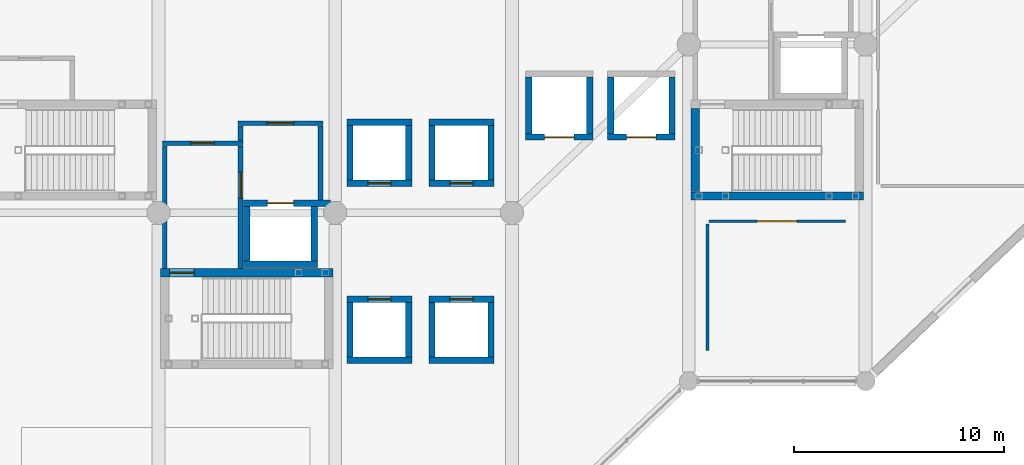
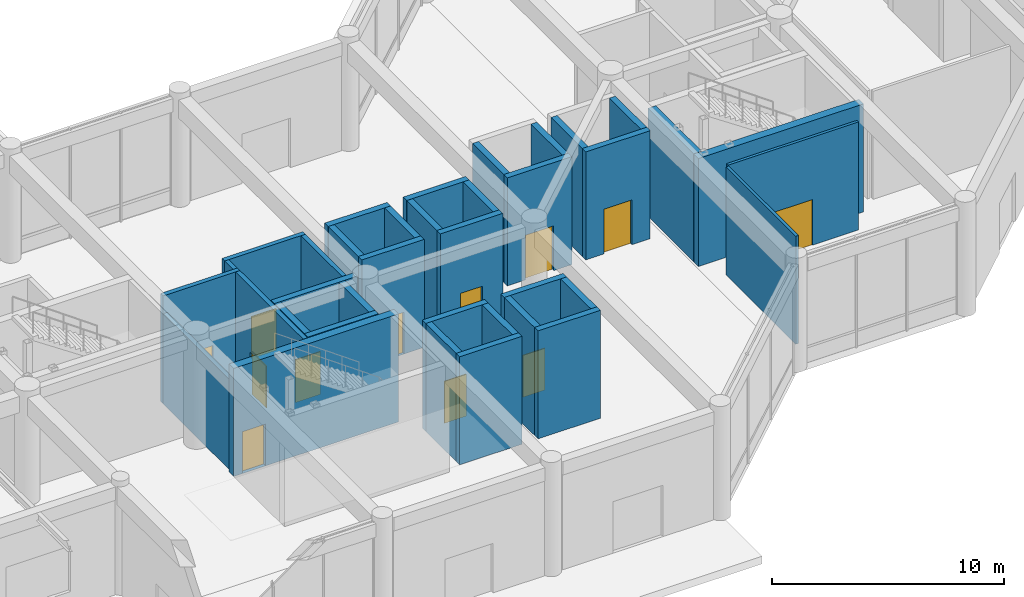
# One storey, part 58 of 76: 37 walls, 12 doors, 12 openings.
"""IFC4 building model written with IfcOpenShell, lengths in metres."""

from ifc_helpers import new_model, si_unit, direction, frame, frame_2d, origin, place, context, subcontext, project, spatial, rectangle, extrude, material, layer, layer_set, type_object, element, fill, save


model = new_model("IFC4")

# Units and contexts
model_context = context("Model", 3, precision=1e-05, world=origin(), true_north=direction((0.0, 1.0)))
body_context = subcontext(model_context, "Body", "Model", "MODEL_VIEW")
ifc_project = project(units=[si_unit("LENGTHUNIT", "METRE"), si_unit("AREAUNIT", "SQUARE_METRE"), si_unit("VOLUMEUNIT", "CUBIC_METRE"), si_unit("PLANEANGLEUNIT", "RADIAN"), si_unit("MASSUNIT", "GRAM", prefix="KILO")], contexts=[model_context])

# Site, building, storey
site_placement = place(None, origin())
site = spatial("IfcSite", under=ifc_project, at=site_placement, CompositionType="ELEMENT")
building_placement = place(site_placement, origin())
building = spatial("IfcBuilding", under=site, at=building_placement, Name="Naruveol Harbour Congress Hotel", CompositionType="ELEMENT")
storey_placement = place(building_placement, origin())
storey = spatial("IfcBuildingStorey", under=building, at=storey_placement, Name="L00", CompositionType="ELEMENT", Elevation=0.0)

# Wall, opening, door
ifc_material_1 = material(Name="Acoustic Double Stud Gypsum", Category="gypsum")
ifc_layer_1 = layer(ifc_material_1, 0.139892578125)
ifc_layer_set_1 = layer_set([ifc_layer_1], Name="Acoustic Double Stud Gypsum")
wall_type_1 = type_object("IfcWallType", Name="ACOUSTIC MEETING PARTITION WALL 140", PredefinedType="PARTITIONING", material=ifc_layer_set_1)
wall_1_placement = place(storey_placement, frame((152.159912109375, 15.60009765625, 0.0), z_axis=(0.0, 0.0, 1.0), x_axis=(1.0, 0.0, 0.0)))
wall_1 = element("IfcWall", 1, at=wall_1_placement, inside=storey, type_object=wall_type_1, Name="Waterfront Tea Salon north entry wall PW-140", PredefinedType="PARTITIONING", context=body_context, shape_type="SweptSolid", body=[
    extrude(rectangle(XDim=6.47998046875, YDim=0.139892578125, at=frame_2d((3.239990234375, 0.0))), origin(), (0.0, 0.0, 1.0), 5.675048828125),
])
opening_1_placement = place(wall_1_placement, frame((2.2900390625, 0.0, 0.0)))
opening_1 = element("IfcOpeningElement", 2, at=opening_1_placement, cuts=wall_1, Name="Opening ID-LG-31", PredefinedType="OPENING", context=body_context, shape_type="SweptSolid", body=[
    extrude(rectangle(XDim=1.89990234375, YDim=2.39990234375, at=frame_2d((0.949951171875, 1.199951171875))), frame((0.0, 0.079833984375, 0.0), z_axis=(0.0, -1.0, 0.0), x_axis=(1.0, 0.0, 0.0)), (0.0, 0.0, 1.0), 0.159912109375),
])
ifc_material_2 = material(Name="Timber & Steel Acoustic Leaf", Category="steel")
door_type_1 = type_object("IfcDoorType", Name="RESTAURANT AND LOUNGE GLAZED DOOR 1900X2400", OperationType="DOUBLE_DOOR_SINGLE_SWING", PredefinedType="DOOR", material=ifc_material_2)
door_1_placement = place(opening_1_placement, origin())
door_1 = element("IfcDoor", 3, at=door_1_placement, inside=storey, type_object=door_type_1, Name="Waterfront Tea Salon Entrance Door", OperationType="DOUBLE_DOOR_SINGLE_SWING", OverallHeight=2.39990234375, OverallWidth=1.89990234375, PredefinedType="DOOR", context=body_context, shape_type="SweptSolid", body=[
    extrude(rectangle(XDim=1.89990234375, YDim=2.39990234375, at=frame_2d((0.949951171875, 1.199951171875))), frame((0.0, 0.02490234375, 0.0), z_axis=(0.0, -1.0, 0.0), x_axis=(1.0, 0.0, 0.0)), (0.0, 0.0, 1.0), 0.050048828125),
])
fill(opening_1, door_1)

# Walls
wall_2_placement = place(storey_placement, frame((152.080078125, 9.449951171875, 0.0), z_axis=(0.0, 0.0, 1.0), x_axis=(0.0, 1.0, 0.0)))
element("IfcWall", 4, at=wall_2_placement, inside=storey, type_object=wall_type_1, Name="Waterfront Tea Salon west partition PW-140", PredefinedType="PARTITIONING", context=body_context, shape_type="SweptSolid", body=[
    extrude(rectangle(XDim=6.010009765625, YDim=0.139892578125, at=frame_2d((3.0048828125, 0.0))), origin(), (0.0, 0.0, 1.0), 5.675048828125),
])
ifc_material_3 = material(Name="Concrete C40/50", Category="concrete")
ifc_layer_2 = layer(ifc_material_3, 0.219970703125)
ifc_layer_set_2 = layer_set([ifc_layer_2], Name="Concrete C40/50")
wall_type_2 = type_object("IfcWallType", Name="FIRE COMPARTMENT AND LOBBY WALL 220 EI120", PredefinedType="PARTITIONING", material=ifc_layer_set_2)
wall_3_placement = place(storey_placement, frame((126.300048828125, 13.364990234375, 0.0), z_axis=(0.0, 0.0, 1.0), x_axis=(0.0, 1.0, 0.0)))
element("IfcWall", 5, at=wall_3_placement, inside=storey, type_object=wall_type_2, Name="Smoke vestibule ST1 west wall FW-220", PredefinedType="PARTITIONING", context=body_context, shape_type="SweptSolid", body=[
    extrude(rectangle(XDim=5.820068359375, YDim=0.219970703125, at=frame_2d((2.91015625, 0.0))), origin(), (0.0, 0.0, 1.0), 4.75),
])

# Wall, opening, door
wall_4_placement = place(storey_placement, frame((126.18994140625, 19.300048828125, 0.0), z_axis=(0.0, 0.0, 1.0), x_axis=(1.0, 0.0, 0.0)))
wall_4 = element("IfcWall", 6, at=wall_4_placement, inside=storey, type_object=wall_type_2, Name="Smoke vestibule ST1 north wall FW-220", PredefinedType="PARTITIONING", context=body_context, shape_type="SweptSolid", body=[
    extrude(rectangle(XDim=3.820068359375, YDim=0.219970703125, at=frame_2d((1.91015625, 0.0))), origin(), (0.0, 0.0, 1.0), 5.675048828125),
])
opening_2_placement = place(wall_4_placement, frame((1.35009765625, 0.0, 0.0)))
opening_2 = element("IfcOpeningElement", 7, at=opening_2_placement, cuts=wall_4, Name="Opening FD-ST1-V-L00", PredefinedType="OPENING", context=body_context, shape_type="SweptSolid", body=[
    extrude(rectangle(XDim=1.1201171875, YDim=2.199951171875, at=frame_2d((0.56005859375, 1.10009765625))), frame((0.0, 0.119873046875, 0.0), z_axis=(0.0, -1.0, 0.0), x_axis=(1.0, 0.0, 0.0)), (0.0, 0.0, 1.0), 0.239990234375),
])
ifc_material_4 = material(Name="Timber & Steel Acoustic Leaf", Category="steel")
door_type_2 = type_object("IfcDoorType", Name="VESTIBULE SMOKE CONTROL FIRE DOOR 1120X2200", OperationType="NOTDEFINED", PredefinedType="DOOR", material=ifc_material_4)
door_2_placement = place(opening_2_placement, origin())
door_2 = element("IfcDoor", 8, at=door_2_placement, inside=storey, type_object=door_type_2, Name="Smoke Vestibule Entry Door ST1 L00", OperationType="SINGLE_SWING_LEFT", OverallHeight=2.199951171875, OverallWidth=1.1201171875, PredefinedType="DOOR", context=body_context, shape_type="SweptSolid", body=[
    extrude(rectangle(XDim=1.1201171875, YDim=2.199951171875, at=frame_2d((0.56005859375, 1.10009765625))), frame((0.0, 0.02490234375, 0.0), z_axis=(0.0, -1.0, 0.0), x_axis=(1.0, 0.0, 0.0)), (0.0, 0.0, 1.0), 0.050048828125),
])
fill(opening_2, door_2)

wall_5_placement = place(storey_placement, frame((129.89990234375, 13.364990234375, 0.0), z_axis=(0.0, 0.0, 1.0), x_axis=(0.0, 1.0, 0.0)))
wall_5 = element("IfcWall", 9, at=wall_5_placement, inside=storey, type_object=wall_type_2, Name="Smoke vestibule ST1 east wall FW-220", PredefinedType="PARTITIONING", context=body_context, shape_type="SweptSolid", body=[
    extrude(rectangle(XDim=5.820068359375, YDim=0.219970703125, at=frame_2d((2.91015625, 0.0))), origin(), (0.0, 0.0, 1.0), 5.675048828125),
])
opening_3_placement = place(wall_5_placement, frame((3.3349609375, 0.0, 0.0)))
opening_3 = element("IfcOpeningElement", 10, at=opening_3_placement, cuts=wall_5, Name="Opening FD-FFL-ST1-L00", PredefinedType="OPENING", context=body_context, shape_type="SweptSolid", body=[
    extrude(rectangle(XDim=1.239990234375, YDim=2.199951171875, at=frame_2d((0.6201171875, 1.10009765625))), frame((0.0, 0.119873046875, 0.0), z_axis=(0.0, -1.0, 0.0), x_axis=(1.0, 0.0, 0.0)), (0.0, 0.0, 1.0), 0.239990234375),
])
ifc_material_5 = material(Name="Timber & Steel Acoustic Leaf", Category="steel")
door_type_3 = type_object("IfcDoorType", Name="FIREFIGHTING LOBBY FIRE DOOR 1240X2200", OperationType="NOTDEFINED", PredefinedType="DOOR", material=ifc_material_5)
door_3_placement = place(opening_3_placement, origin())
door_3 = element("IfcDoor", 11, at=door_3_placement, inside=storey, type_object=door_type_3, Name="Firefighting Lobby Vestibule Door ST1 L00", OperationType="SINGLE_SWING_RIGHT", OverallHeight=2.199951171875, OverallWidth=1.239990234375, PredefinedType="DOOR", context=body_context, shape_type="SweptSolid", body=[
    extrude(rectangle(XDim=1.239990234375, YDim=2.199951171875, at=frame_2d((0.6201171875, 1.10009765625))), frame((0.0, 0.02490234375, 0.0), z_axis=(0.0, -1.0, 0.0), x_axis=(1.0, 0.0, 0.0)), (0.0, 0.0, 1.0), 0.050048828125),
])
fill(opening_3, door_3)

# Walls
wall_6_placement = place(storey_placement, frame((129.89990234375, 19.4150390625, 0.0), z_axis=(0.0, 0.0, 1.0), x_axis=(0.0, 1.0, 0.0)))
element("IfcWall", 12, at=wall_6_placement, inside=storey, type_object=wall_type_2, Name="Firefighting lift lobby ST1 upper west wall FW-220", PredefinedType="PARTITIONING", context=body_context, shape_type="SweptSolid", body=[
    extrude(rectangle(XDim=0.719970703125, YDim=0.219970703125, at=frame_2d((0.35986328125, 0.0))), origin(), (0.0, 0.0, 1.0), 5.675048828125),
])
wall_7_placement = place(storey_placement, frame((133.699951171875, 16.60498046875, 0.0), z_axis=(0.0, 0.0, 1.0), x_axis=(0.0, 1.0, 0.0)))
element("IfcWall", 13, at=wall_7_placement, inside=storey, type_object=wall_type_2, Name="Firefighting lift lobby ST1 east wall FW-220", PredefinedType="PARTITIONING", context=body_context, shape_type="SweptSolid", body=[
    extrude(rectangle(XDim=3.530029296875, YDim=0.219970703125, at=frame_2d((1.76513671875, 0.0))), origin(), (0.0, 0.0, 1.0), 5.675048828125),
])

# Wall, opening, door
wall_8_placement = place(storey_placement, frame((129.7900390625, 20.25, 0.0), z_axis=(0.0, 0.0, 1.0), x_axis=(1.0, 0.0, 0.0)))
wall_8 = element("IfcWall", 14, at=wall_8_placement, inside=storey, type_object=wall_type_2, Name="Firefighting lift lobby ST1 north wall FW-220", PredefinedType="PARTITIONING", context=body_context, shape_type="SweptSolid", body=[
    extrude(rectangle(XDim=4.02001953125, YDim=0.219970703125, at=frame_2d((2.010009765625, 0.0))), origin(), (0.0, 0.0, 1.0), 5.675048828125),
])
opening_4_placement = place(wall_8_placement, frame((1.389892578125, 0.0, 0.0)))
opening_4 = element("IfcOpeningElement", 15, at=opening_4_placement, cuts=wall_8, Name="Opening FD-FFC-ST1-L00", PredefinedType="OPENING", context=body_context, shape_type="SweptSolid", body=[
    extrude(rectangle(XDim=1.239990234375, YDim=2.199951171875, at=frame_2d((0.6201171875, 1.10009765625))), frame((0.0, 0.119873046875, 0.0), z_axis=(0.0, -1.0, 0.0), x_axis=(1.0, 0.0, 0.0)), (0.0, 0.0, 1.0), 0.239990234375),
])
door_4_placement = place(opening_4_placement, origin())
door_4 = element("IfcDoor", 16, at=door_4_placement, inside=storey, type_object=door_type_3, Name="Firefighting Lobby Corridor Door ST1 L00", OperationType="SINGLE_SWING_LEFT", OverallHeight=2.199951171875, OverallWidth=1.239990234375, PredefinedType="DOOR", context=body_context, shape_type="SweptSolid", body=[
    extrude(rectangle(XDim=1.239990234375, YDim=2.199951171875, at=frame_2d((0.6201171875, 1.10009765625))), frame((0.0, 0.02490234375, 0.0), z_axis=(0.0, -1.0, 0.0), x_axis=(1.0, 0.0, 0.0)), (0.0, 0.0, 1.0), 0.050048828125),
])
fill(opening_4, door_4)

ifc_material_6 = material(Name="Concrete C50/60", Category="concrete")
ifc_layer_3 = layer(ifc_material_6, 0.39990234375)
ifc_layer_set_3 = layer_set([ifc_layer_3], Name="Concrete C50/60")
wall_type_3 = type_object("IfcWallType", Name="RC CORE SHEAR WALL 400 EI120", PredefinedType="SHEAR", material=ifc_layer_set_3)
wall_9_placement = place(storey_placement, frame((126.10009765625, 13.159912109375, 0.0), z_axis=(0.0, 0.0, 1.0), x_axis=(1.0, 0.0, 0.0)))
wall_9 = element("IfcWall", 17, at=wall_9_placement, inside=storey, type_object=wall_type_3, Name="Stair ST1 north core wall CW-400", PredefinedType="SHEAR", context=body_context, shape_type="SweptSolid", body=[
    extrude(rectangle(XDim=8.199951171875, YDim=0.39990234375, at=frame_2d((4.10009765625, 0.0))), origin(), (0.0, 0.0, 1.0), 5.675048828125),
])
opening_5_placement = place(wall_9_placement, frame((0.429931640625, 0.0, 0.0)))
opening_5 = element("IfcOpeningElement", 18, at=opening_5_placement, cuts=wall_9, Name="Opening FD-ST1-S-L00", PredefinedType="OPENING", context=body_context, shape_type="SweptSolid", body=[
    extrude(rectangle(XDim=1.159912109375, YDim=2.199951171875, at=frame_2d((0.580078125, 1.10009765625))), frame((0.0, 0.2099609375, 0.0), z_axis=(0.0, -1.0, 0.0), x_axis=(1.0, 0.0, 0.0)), (0.0, 0.0, 1.0), 0.419921875),
])
ifc_material_7 = material(Name="Timber & Steel Acoustic Leaf", Category="steel")
door_type_4 = type_object("IfcDoorType", Name="SPECIAL ESCAPE STAIR FIRE DOOR 1160X2200", OperationType="NOTDEFINED", PredefinedType="DOOR", material=ifc_material_7)
door_5_placement = place(opening_5_placement, origin())
door_5 = element("IfcDoor", 19, at=door_5_placement, inside=storey, type_object=door_type_4, Name="Special Escape Stair Door ST1 L00", OperationType="SINGLE_SWING_RIGHT", OverallHeight=2.199951171875, OverallWidth=1.159912109375, PredefinedType="DOOR", context=body_context, shape_type="SweptSolid", body=[
    extrude(rectangle(XDim=1.159912109375, YDim=2.199951171875, at=frame_2d((0.580078125, 1.10009765625))), frame((0.0, 0.02490234375, 0.0), z_axis=(0.0, -1.0, 0.0), x_axis=(1.0, 0.0, 0.0)), (0.0, 0.0, 1.0), 0.050048828125),
])
fill(opening_5, door_5)

# Walls
wall_10_placement = place(storey_placement, frame((151.300048828125, 16.800048828125, 0.0), z_axis=(0.0, 0.0, 1.0), x_axis=(1.0, 0.0, 0.0)))
element("IfcWall", 20, at=wall_10_placement, inside=storey, type_object=wall_type_3, Name="Stair ST2 south core wall CW-400", PredefinedType="SHEAR", context=body_context, shape_type="SweptSolid", body=[
    extrude(rectangle(XDim=8.199951171875, YDim=0.39990234375, at=frame_2d((4.10009765625, 0.0))), origin(), (0.0, 0.0, 1.0), 5.675048828125),
])
wall_11_placement = place(storey_placement, frame((151.5, 17.0048828125, 0.0), z_axis=(0.0, 0.0, 1.0), x_axis=(0.0, 1.0, 0.0)))
element("IfcWall", 21, at=wall_11_placement, inside=storey, type_object=wall_type_3, Name="Stair ST2 west core wall CW-400", PredefinedType="SHEAR", context=body_context, shape_type="SweptSolid", body=[
    extrude(rectangle(XDim=3.9501953125, YDim=0.39990234375, at=frame_2d((1.97509765625, 0.0))), origin(), (0.0, 0.0, 1.0), 5.675048828125),
])

# Wall, opening, door
ifc_material_8 = material(Name="Concrete C50/60", Category="concrete")
ifc_layer_4 = layer(ifc_material_8, 0.300048828125)
ifc_layer_set_4 = layer_set([ifc_layer_4], Name="Concrete C50/60")
wall_type_4 = type_object("IfcWallType", Name="RC STAIR AND HOISTWAY SHEAR WALL 300 EI120", PredefinedType="SHEAR", material=ifc_layer_set_4)
wall_12_placement = place(storey_placement, frame((134.949951171875, 17.39990234375, 0.0), z_axis=(0.0, 0.0, 1.0), x_axis=(1.0, 0.0, 0.0)))
wall_12 = element("IfcWall", 22, at=wall_12_placement, inside=storey, type_object=wall_type_4, Name="Hoistway south shear wall PL1 SW-300", PredefinedType="SHEAR", context=body_context, shape_type="SweptSolid", body=[
    extrude(rectangle(XDim=3.10009765625, YDim=0.300048828125, at=frame_2d((1.550048828125, 0.0))), origin(), (0.0, 0.0, 1.0), 5.675048828125),
])
opening_6_placement = place(wall_12_placement, frame((1.0, 0.0, 0.0)))
opening_6 = element("IfcOpeningElement", 23, at=opening_6_placement, cuts=wall_12, Name="Opening LD-PL1-L00", PredefinedType="OPENING", context=body_context, shape_type="SweptSolid", body=[
    extrude(rectangle(XDim=1.10009765625, YDim=2.199951171875, at=frame_2d((0.550048828125, 1.10009765625))), frame((0.0, 0.159912109375, 0.0), z_axis=(0.0, -1.0, 0.0), x_axis=(1.0, 0.0, 0.0)), (0.0, 0.0, 1.0), 0.320068359375),
])
ifc_material_9 = material(Name="Stainless Steel Lift Door", Category="steel")
door_type_5 = type_object("IfcDoorType", Name="PASSENGER LIFT LANDING DOOR 1100X2200", OperationType="DOUBLE_DOOR_SLIDING", PredefinedType="DOOR", material=ifc_material_9)
door_6_placement = place(opening_6_placement, origin())
door_6 = element("IfcDoor", 24, at=door_6_placement, inside=storey, type_object=door_type_5, Name="Elevator Landing Door PL1 L00", OperationType="DOUBLE_DOOR_SLIDING", OverallHeight=2.199951171875, OverallWidth=1.10009765625, PredefinedType="DOOR", context=body_context, shape_type="SweptSolid", body=[
    extrude(rectangle(XDim=1.10009765625, YDim=2.199951171875, at=frame_2d((0.550048828125, 1.10009765625))), frame((0.0, 0.02490234375, 0.0), z_axis=(0.0, -1.0, 0.0), x_axis=(1.0, 0.0, 0.0)), (0.0, 0.0, 1.0), 0.050048828125),
])
fill(opening_6, door_6)

# Walls
wall_13_placement = place(storey_placement, frame((137.89990234375, 17.554931640625, 0.0), z_axis=(0.0, 0.0, 1.0), x_axis=(0.0, 1.0, 0.0)))
element("IfcWall", 25, at=wall_13_placement, inside=storey, type_object=wall_type_4, Name="Hoistway east shear wall PL1 SW-300", PredefinedType="SHEAR", context=body_context, shape_type="SweptSolid", body=[
    extrude(rectangle(XDim=2.590087890625, YDim=0.300048828125, at=frame_2d((1.294921875, 0.0))), origin(), (0.0, 0.0, 1.0), 5.675048828125),
])
wall_14_placement = place(storey_placement, frame((138.050048828125, 20.300048828125, 0.0), z_axis=(0.0, 0.0, 1.0), x_axis=(-1.0, 0.0, 0.0)))
element("IfcWall", 26, at=wall_14_placement, inside=storey, type_object=wall_type_4, Name="Hoistway north shear wall PL1 SW-300", PredefinedType="SHEAR", context=body_context, shape_type="SweptSolid", body=[
    extrude(rectangle(XDim=3.10009765625, YDim=0.300048828125, at=frame_2d((1.550048828125, 0.0))), origin(), (0.0, 0.0, 1.0), 5.675048828125),
])
wall_15_placement = place(storey_placement, frame((135.10009765625, 20.14501953125, 0.0), z_axis=(0.0, 0.0, 1.0), x_axis=(0.0, -1.0, 0.0)))
element("IfcWall", 27, at=wall_15_placement, inside=storey, type_object=wall_type_4, Name="Hoistway west shear wall PL1 SW-300", PredefinedType="SHEAR", context=body_context, shape_type="SweptSolid", body=[
    extrude(rectangle(XDim=2.590087890625, YDim=0.300048828125, at=frame_2d((1.294921875, 0.0))), origin(), (0.0, 0.0, 1.0), 5.675048828125),
])

# Wall, opening, door
wall_16_placement = place(storey_placement, frame((138.85009765625, 17.39990234375, 0.0), z_axis=(0.0, 0.0, 1.0), x_axis=(1.0, 0.0, 0.0)))
wall_16 = element("IfcWall", 28, at=wall_16_placement, inside=storey, type_object=wall_type_4, Name="Hoistway south shear wall PL2 SW-300", PredefinedType="SHEAR", context=body_context, shape_type="SweptSolid", body=[
    extrude(rectangle(XDim=3.099853515625, YDim=0.300048828125, at=frame_2d((1.5498046875, 0.0))), origin(), (0.0, 0.0, 1.0), 5.675048828125),
])
opening_7_placement = place(wall_16_placement, frame((1.0, 0.0, 0.0)))
opening_7 = element("IfcOpeningElement", 29, at=opening_7_placement, cuts=wall_16, Name="Opening LD-PL2-L00", PredefinedType="OPENING", context=body_context, shape_type="SweptSolid", body=[
    extrude(rectangle(XDim=1.10009765625, YDim=2.199951171875, at=frame_2d((0.550048828125, 1.10009765625))), frame((0.0, 0.159912109375, 0.0), z_axis=(0.0, -1.0, 0.0), x_axis=(1.0, 0.0, 0.0)), (0.0, 0.0, 1.0), 0.320068359375),
])
door_7_placement = place(opening_7_placement, origin())
door_7 = element("IfcDoor", 30, at=door_7_placement, inside=storey, type_object=door_type_5, Name="Elevator Landing Door PL2 L00", OperationType="DOUBLE_DOOR_SLIDING", OverallHeight=2.199951171875, OverallWidth=1.10009765625, PredefinedType="DOOR", context=body_context, shape_type="SweptSolid", body=[
    extrude(rectangle(XDim=1.10009765625, YDim=2.199951171875, at=frame_2d((0.550048828125, 1.10009765625))), frame((0.0, 0.02490234375, 0.0), z_axis=(0.0, -1.0, 0.0), x_axis=(1.0, 0.0, 0.0)), (0.0, 0.0, 1.0), 0.050048828125),
])
fill(opening_7, door_7)

# Walls
wall_17_placement = place(storey_placement, frame((141.800048828125, 17.554931640625, 0.0), z_axis=(0.0, 0.0, 1.0), x_axis=(0.0, 1.0, 0.0)))
element("IfcWall", 31, at=wall_17_placement, inside=storey, type_object=wall_type_4, Name="Hoistway east shear wall PL2 SW-300", PredefinedType="SHEAR", context=body_context, shape_type="SweptSolid", body=[
    extrude(rectangle(XDim=2.590087890625, YDim=0.300048828125, at=frame_2d((1.294921875, 0.0))), origin(), (0.0, 0.0, 1.0), 5.675048828125),
])
wall_18_placement = place(storey_placement, frame((141.949951171875, 20.300048828125, 0.0), z_axis=(0.0, 0.0, 1.0), x_axis=(-1.0, 0.0, 0.0)))
element("IfcWall", 32, at=wall_18_placement, inside=storey, type_object=wall_type_4, Name="Hoistway north shear wall PL2 SW-300", PredefinedType="SHEAR", context=body_context, shape_type="SweptSolid", body=[
    extrude(rectangle(XDim=3.099853515625, YDim=0.300048828125, at=frame_2d((1.5498046875, 0.0))), origin(), (0.0, 0.0, 1.0), 5.675048828125),
])
wall_19_placement = place(storey_placement, frame((139.0, 20.14501953125, 0.0), z_axis=(0.0, 0.0, 1.0), x_axis=(0.0, -1.0, 0.0)))
element("IfcWall", 33, at=wall_19_placement, inside=storey, type_object=wall_type_4, Name="Hoistway west shear wall PL2 SW-300", PredefinedType="SHEAR", context=body_context, shape_type="SweptSolid", body=[
    extrude(rectangle(XDim=2.590087890625, YDim=0.300048828125, at=frame_2d((1.294921875, 0.0))), origin(), (0.0, 0.0, 1.0), 5.675048828125),
])
wall_20_placement = place(storey_placement, frame((134.949951171875, 9.0, 0.0), z_axis=(0.0, 0.0, 1.0), x_axis=(1.0, 0.0, 0.0)))
element("IfcWall", 34, at=wall_20_placement, inside=storey, type_object=wall_type_4, Name="Hoistway south shear wall PL3 SW-300", PredefinedType="SHEAR", context=body_context, shape_type="SweptSolid", body=[
    extrude(rectangle(XDim=3.10009765625, YDim=0.300048828125, at=frame_2d((1.550048828125, 0.0))), origin(), (0.0, 0.0, 1.0), 5.675048828125),
])
wall_21_placement = place(storey_placement, frame((137.89990234375, 9.155029296875, 0.0), z_axis=(0.0, 0.0, 1.0), x_axis=(0.0, 1.0, 0.0)))
element("IfcWall", 35, at=wall_21_placement, inside=storey, type_object=wall_type_4, Name="Hoistway east shear wall PL3 SW-300", PredefinedType="SHEAR", context=body_context, shape_type="SweptSolid", body=[
    extrude(rectangle(XDim=2.590087890625, YDim=0.300048828125, at=frame_2d((1.294921875, 0.0))), origin(), (0.0, 0.0, 1.0), 5.675048828125),
])

# Wall, opening, door
wall_22_placement = place(storey_placement, frame((138.050048828125, 11.89990234375, 0.0), z_axis=(0.0, 0.0, 1.0), x_axis=(-1.0, 0.0, 0.0)))
wall_22 = element("IfcWall", 36, at=wall_22_placement, inside=storey, type_object=wall_type_4, Name="Hoistway north shear wall PL3 SW-300", PredefinedType="SHEAR", context=body_context, shape_type="SweptSolid", body=[
    extrude(rectangle(XDim=3.10009765625, YDim=0.300048828125, at=frame_2d((1.550048828125, 0.0))), origin(), (0.0, 0.0, 1.0), 5.675048828125),
])
opening_8_placement = place(wall_22_placement, frame((1.0, 0.0, 0.0)))
opening_8 = element("IfcOpeningElement", 37, at=opening_8_placement, cuts=wall_22, Name="Opening LD-PL3-L00", PredefinedType="OPENING", context=body_context, shape_type="SweptSolid", body=[
    extrude(rectangle(XDim=1.10009765625, YDim=2.199951171875, at=frame_2d((0.550048828125, 1.10009765625))), frame((0.0, 0.159912109375, 0.0), z_axis=(0.0, -1.0, 0.0), x_axis=(1.0, 0.0, 0.0)), (0.0, 0.0, 1.0), 0.320068359375),
])
door_8_placement = place(opening_8_placement, origin())
door_8 = element("IfcDoor", 38, at=door_8_placement, inside=storey, type_object=door_type_5, Name="Elevator Landing Door PL3 L00", OperationType="DOUBLE_DOOR_SLIDING", OverallHeight=2.199951171875, OverallWidth=1.10009765625, PredefinedType="DOOR", context=body_context, shape_type="SweptSolid", body=[
    extrude(rectangle(XDim=1.10009765625, YDim=2.199951171875, at=frame_2d((0.550048828125, 1.10009765625))), frame((0.0, 0.02490234375, 0.0), z_axis=(0.0, -1.0, 0.0), x_axis=(1.0, 0.0, 0.0)), (0.0, 0.0, 1.0), 0.050048828125),
])
fill(opening_8, door_8)

# Walls
wall_23_placement = place(storey_placement, frame((135.10009765625, 11.7451171875, 0.0), z_axis=(0.0, 0.0, 1.0), x_axis=(0.0, -1.0, 0.0)))
element("IfcWall", 39, at=wall_23_placement, inside=storey, type_object=wall_type_4, Name="Hoistway west shear wall PL3 SW-300", PredefinedType="SHEAR", context=body_context, shape_type="SweptSolid", body=[
    extrude(rectangle(XDim=2.590087890625, YDim=0.300048828125, at=frame_2d((1.294921875, 0.0))), origin(), (0.0, 0.0, 1.0), 5.675048828125),
])
wall_24_placement = place(storey_placement, frame((138.85009765625, 9.0, 0.0), z_axis=(0.0, 0.0, 1.0), x_axis=(1.0, 0.0, 0.0)))
element("IfcWall", 40, at=wall_24_placement, inside=storey, type_object=wall_type_4, Name="Hoistway south shear wall PL4 SW-300", PredefinedType="SHEAR", context=body_context, shape_type="SweptSolid", body=[
    extrude(rectangle(XDim=3.099853515625, YDim=0.300048828125, at=frame_2d((1.5498046875, 0.0))), origin(), (0.0, 0.0, 1.0), 5.675048828125),
])
wall_25_placement = place(storey_placement, frame((141.800048828125, 9.155029296875, 0.0), z_axis=(0.0, 0.0, 1.0), x_axis=(0.0, 1.0, 0.0)))
element("IfcWall", 41, at=wall_25_placement, inside=storey, type_object=wall_type_4, Name="Hoistway east shear wall PL4 SW-300", PredefinedType="SHEAR", context=body_context, shape_type="SweptSolid", body=[
    extrude(rectangle(XDim=2.590087890625, YDim=0.300048828125, at=frame_2d((1.294921875, 0.0))), origin(), (0.0, 0.0, 1.0), 5.675048828125),
])

# Wall, opening, door
wall_26_placement = place(storey_placement, frame((141.949951171875, 11.89990234375, 0.0), z_axis=(0.0, 0.0, 1.0), x_axis=(-1.0, 0.0, 0.0)))
wall_26 = element("IfcWall", 42, at=wall_26_placement, inside=storey, type_object=wall_type_4, Name="Hoistway north shear wall PL4 SW-300", PredefinedType="SHEAR", context=body_context, shape_type="SweptSolid", body=[
    extrude(rectangle(XDim=3.099853515625, YDim=0.300048828125, at=frame_2d((1.5498046875, 0.0))), origin(), (0.0, 0.0, 1.0), 5.675048828125),
])
opening_9_placement = place(wall_26_placement, frame((1.0, 0.0, 0.0)))
opening_9 = element("IfcOpeningElement", 43, at=opening_9_placement, cuts=wall_26, Name="Opening LD-PL4-L00", PredefinedType="OPENING", context=body_context, shape_type="SweptSolid", body=[
    extrude(rectangle(XDim=1.10009765625, YDim=2.199951171875, at=frame_2d((0.550048828125, 1.10009765625))), frame((0.0, 0.159912109375, 0.0), z_axis=(0.0, -1.0, 0.0), x_axis=(1.0, 0.0, 0.0)), (0.0, 0.0, 1.0), 0.320068359375),
])
door_9_placement = place(opening_9_placement, origin())
door_9 = element("IfcDoor", 44, at=door_9_placement, inside=storey, type_object=door_type_5, Name="Elevator Landing Door PL4 L00", OperationType="DOUBLE_DOOR_SLIDING", OverallHeight=2.199951171875, OverallWidth=1.10009765625, PredefinedType="DOOR", context=body_context, shape_type="SweptSolid", body=[
    extrude(rectangle(XDim=1.10009765625, YDim=2.199951171875, at=frame_2d((0.550048828125, 1.10009765625))), frame((0.0, 0.02490234375, 0.0), z_axis=(0.0, -1.0, 0.0), x_axis=(1.0, 0.0, 0.0)), (0.0, 0.0, 1.0), 0.050048828125),
])
fill(opening_9, door_9)

# Walls
wall_27_placement = place(storey_placement, frame((139.0, 11.7451171875, 0.0), z_axis=(0.0, 0.0, 1.0), x_axis=(0.0, -1.0, 0.0)))
element("IfcWall", 45, at=wall_27_placement, inside=storey, type_object=wall_type_4, Name="Hoistway west shear wall PL4 SW-300", PredefinedType="SHEAR", context=body_context, shape_type="SweptSolid", body=[
    extrude(rectangle(XDim=2.590087890625, YDim=0.300048828125, at=frame_2d((1.294921875, 0.0))), origin(), (0.0, 0.0, 1.0), 5.675048828125),
])
wall_28_placement = place(storey_placement, frame((130.050048828125, 13.550048828125, 0.0), z_axis=(0.0, 0.0, 1.0), x_axis=(1.0, 0.0, 0.0)))
element("IfcWall", 46, at=wall_28_placement, inside=storey, type_object=wall_type_4, Name="Hoistway south shear wall FL1 SW-300", PredefinedType="SHEAR", context=body_context, shape_type="SweptSolid", body=[
    extrude(rectangle(XDim=3.5, YDim=0.300048828125, at=frame_2d((1.75, 0.0))), origin(), (0.0, 0.0, 1.0), 5.675048828125),
])
wall_29_placement = place(storey_placement, frame((133.39990234375, 13.705078125, 0.0), z_axis=(0.0, 0.0, 1.0), x_axis=(0.0, 1.0, 0.0)))
element("IfcWall", 47, at=wall_29_placement, inside=storey, type_object=wall_type_4, Name="Hoistway east shear wall FL1 SW-300", PredefinedType="SHEAR", context=body_context, shape_type="SweptSolid", body=[
    extrude(rectangle(XDim=2.58984375, YDim=0.300048828125, at=frame_2d((1.294921875, 0.0))), origin(), (0.0, 0.0, 1.0), 5.675048828125),
])

# Wall, opening, door
wall_30_placement = place(storey_placement, frame((134.179931640625, 16.449951171875, 0.0), z_axis=(0.0, 0.0, 1.0), x_axis=(-1.0, 0.0, 0.0)))
wall_30 = element("IfcWall", 48, at=wall_30_placement, inside=storey, type_object=wall_type_4, Name="Hoistway north shear wall FL1 SW-300", PredefinedType="SHEAR", context=body_context, shape_type="SweptSolid", body=[
    extrude(rectangle(XDim=4.1298828125, YDim=0.300048828125, at=frame_2d((2.06494140625, 0.0))), origin(), (0.0, 0.0, 1.0), 5.675048828125),
])
opening_10_placement = place(wall_30_placement, frame((1.7548828125, 0.0, 0.0)))
opening_10 = element("IfcOpeningElement", 49, at=opening_10_placement, cuts=wall_30, Name="Opening LD-FL1-L00", PredefinedType="OPENING", context=body_context, shape_type="SweptSolid", body=[
    extrude(rectangle(XDim=1.25, YDim=2.25, at=frame_2d((0.625, 1.125))), frame((0.0, 0.159912109375, 0.0), z_axis=(0.0, -1.0, 0.0), x_axis=(1.0, 0.0, 0.0)), (0.0, 0.0, 1.0), 0.320068359375),
])
ifc_material_10 = material(Name="Stainless Steel Lift Door", Category="steel")
door_type_6 = type_object("IfcDoorType", Name="FIREFIGHTING LIFT LANDING DOOR 1250X2250", OperationType="DOUBLE_DOOR_SLIDING", PredefinedType="DOOR", material=ifc_material_10)
door_10_placement = place(opening_10_placement, origin())
door_10 = element("IfcDoor", 50, at=door_10_placement, inside=storey, type_object=door_type_6, Name="Elevator Landing Door FL1 L00", OperationType="DOUBLE_DOOR_SLIDING", OverallHeight=2.25, OverallWidth=1.25, PredefinedType="DOOR", context=body_context, shape_type="SweptSolid", body=[
    extrude(rectangle(XDim=1.25, YDim=2.25, at=frame_2d((0.625, 1.125))), frame((0.0, 0.02490234375, 0.0), z_axis=(0.0, -1.0, 0.0), x_axis=(1.0, 0.0, 0.0)), (0.0, 0.0, 1.0), 0.050048828125),
])
fill(opening_10, door_10)

# Wall
wall_31_placement = place(storey_placement, frame((130.199951171875, 16.294921875, 0.0), z_axis=(0.0, 0.0, 1.0), x_axis=(0.0, -1.0, 0.0)))
element("IfcWall", 51, at=wall_31_placement, inside=storey, type_object=wall_type_4, Name="Hoistway west shear wall FL1 SW-300", PredefinedType="SHEAR", context=body_context, shape_type="SweptSolid", body=[
    extrude(rectangle(XDim=2.58984375, YDim=0.300048828125, at=frame_2d((1.294921875, 0.0))), origin(), (0.0, 0.0, 1.0), 5.675048828125),
])

# Wall, opening, door
wall_32_placement = place(storey_placement, frame((143.449951171875, 19.60009765625, 0.0), z_axis=(0.0, 0.0, 1.0), x_axis=(1.0, 0.0, 0.0)))
wall_32 = element("IfcWall", 52, at=wall_32_placement, inside=storey, type_object=wall_type_4, Name="Hoistway south shear wall GL1 SW-300", PredefinedType="SHEAR", context=body_context, shape_type="SweptSolid", body=[
    extrude(rectangle(XDim=3.199951171875, YDim=0.300048828125, at=frame_2d((1.60009765625, 0.0))), origin(), (0.0, 0.0, 1.0), 5.675048828125),
])
opening_11_placement = place(wall_32_placement, frame((0.89990234375, 0.0, 0.0)))
opening_11 = element("IfcOpeningElement", 53, at=opening_11_placement, cuts=wall_32, Name="Opening LD-GL1-L00", PredefinedType="OPENING", context=body_context, shape_type="SweptSolid", body=[
    extrude(rectangle(XDim=1.39990234375, YDim=2.35009765625, at=frame_2d((0.699951171875, 1.175048828125))), frame((0.0, 0.159912109375, 0.0), z_axis=(0.0, -1.0, 0.0), x_axis=(1.0, 0.0, 0.0)), (0.0, 0.0, 1.0), 0.320068359375),
])
ifc_material_11 = material(Name="Stainless Steel Lift Door", Category="steel")
door_type_7 = type_object("IfcDoorType", Name="GOODS LIFT LANDING DOOR 1400X2350", OperationType="DOUBLE_DOOR_SLIDING", PredefinedType="DOOR", material=ifc_material_11)
door_11_placement = place(opening_11_placement, origin())
door_11 = element("IfcDoor", 54, at=door_11_placement, inside=storey, type_object=door_type_7, Name="Elevator Landing Door GL1 L00", OperationType="DOUBLE_DOOR_SLIDING", OverallHeight=2.35009765625, OverallWidth=1.39990234375, PredefinedType="DOOR", context=body_context, shape_type="SweptSolid", body=[
    extrude(rectangle(XDim=1.39990234375, YDim=2.35009765625, at=frame_2d((0.699951171875, 1.175048828125))), frame((0.0, 0.02490234375, 0.0), z_axis=(0.0, -1.0, 0.0), x_axis=(1.0, 0.0, 0.0)), (0.0, 0.0, 1.0), 0.050048828125),
])
fill(opening_11, door_11)

# Walls
for number, where, z_axis, x_axis, name in (
    (55, (146.5, 19.7548828125, 0.0), (0.0, 0.0, 1.0), (0.0, 1.0, 0.0), "Hoistway east shear wall GL1 SW-300"),
    (56, (143.60009765625, 22.445068359375, 0.0), (0.0, 0.0, 1.0), (0.0, -1.0, 0.0), "Hoistway west shear wall GL1 SW-300"),
):
    element("IfcWall", number, at=place(storey_placement, frame(where, z_axis=z_axis, x_axis=x_axis)), inside=storey, type_object=wall_type_4, Name=name, PredefinedType="SHEAR", context=body_context, shape_type="SweptSolid", body=[
        extrude(rectangle(XDim=2.690185546875, YDim=0.300048828125, at=frame_2d((1.34521484375, 0.0))), origin(), (0.0, 0.0, 1.0), 5.675048828125),
    ])

# Wall, opening, door
wall_33_placement = place(storey_placement, frame((147.35009765625, 19.60009765625, 0.0), z_axis=(0.0, 0.0, 1.0), x_axis=(1.0, 0.0, 0.0)))
wall_33 = element("IfcWall", 57, at=wall_33_placement, inside=storey, type_object=wall_type_4, Name="Hoistway south shear wall GL2 SW-300", PredefinedType="SHEAR", context=body_context, shape_type="SweptSolid", body=[
    extrude(rectangle(XDim=3.199951171875, YDim=0.300048828125, at=frame_2d((1.60009765625, 0.0))), origin(), (0.0, 0.0, 1.0), 5.675048828125),
])
opening_12_placement = place(wall_33_placement, frame((0.89990234375, 0.0, 0.0)))
opening_12 = element("IfcOpeningElement", 58, at=opening_12_placement, cuts=wall_33, Name="Opening LD-GL2-L00", PredefinedType="OPENING", context=body_context, shape_type="SweptSolid", body=[
    extrude(rectangle(XDim=1.39990234375, YDim=2.35009765625, at=frame_2d((0.699951171875, 1.175048828125))), frame((0.0, 0.159912109375, 0.0), z_axis=(0.0, -1.0, 0.0), x_axis=(1.0, 0.0, 0.0)), (0.0, 0.0, 1.0), 0.320068359375),
])
door_12_placement = place(opening_12_placement, origin())
door_12 = element("IfcDoor", 59, at=door_12_placement, inside=storey, type_object=door_type_7, Name="Elevator Landing Door GL2 L00", OperationType="DOUBLE_DOOR_SLIDING", OverallHeight=2.35009765625, OverallWidth=1.39990234375, PredefinedType="DOOR", context=body_context, shape_type="SweptSolid", body=[
    extrude(rectangle(XDim=1.39990234375, YDim=2.35009765625, at=frame_2d((0.699951171875, 1.175048828125))), frame((0.0, 0.02490234375, 0.0), z_axis=(0.0, -1.0, 0.0), x_axis=(1.0, 0.0, 0.0)), (0.0, 0.0, 1.0), 0.050048828125),
])
fill(opening_12, door_12)

# Walls
for number, where, z_axis, x_axis, name in (
    (60, (150.39990234375, 19.7548828125, 0.0), (0.0, 0.0, 1.0), (0.0, 1.0, 0.0), "Hoistway east shear wall GL2 SW-300"),
    (61, (147.5, 22.445068359375, 0.0), (0.0, 0.0, 1.0), (0.0, -1.0, 0.0), "Hoistway west shear wall GL2 SW-300"),
):
    element("IfcWall", number, at=place(storey_placement, frame(where, z_axis=z_axis, x_axis=x_axis)), inside=storey, type_object=wall_type_4, Name=name, PredefinedType="SHEAR", context=body_context, shape_type="SweptSolid", body=[
        extrude(rectangle(XDim=2.690185546875, YDim=0.300048828125, at=frame_2d((1.34521484375, 0.0))), origin(), (0.0, 0.0, 1.0), 5.675048828125),
    ])

save(model, "model.ifc")
